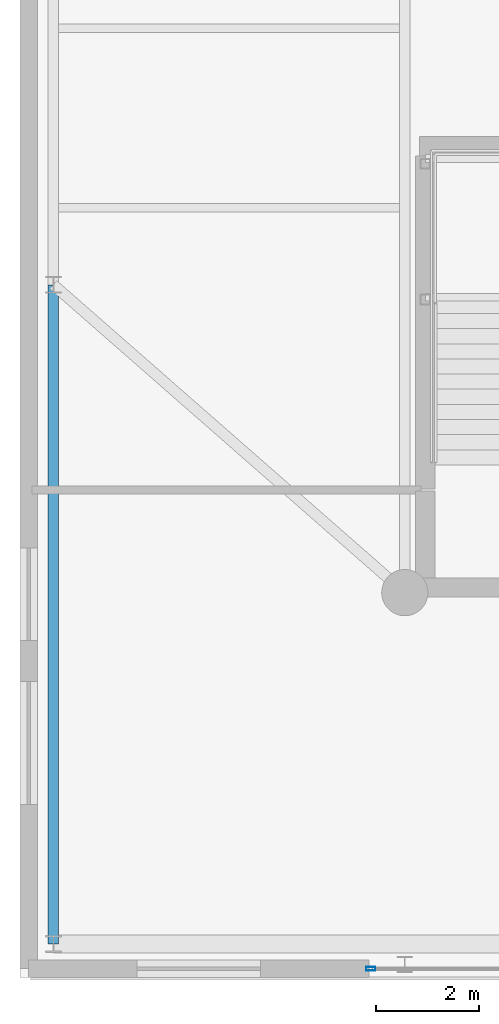
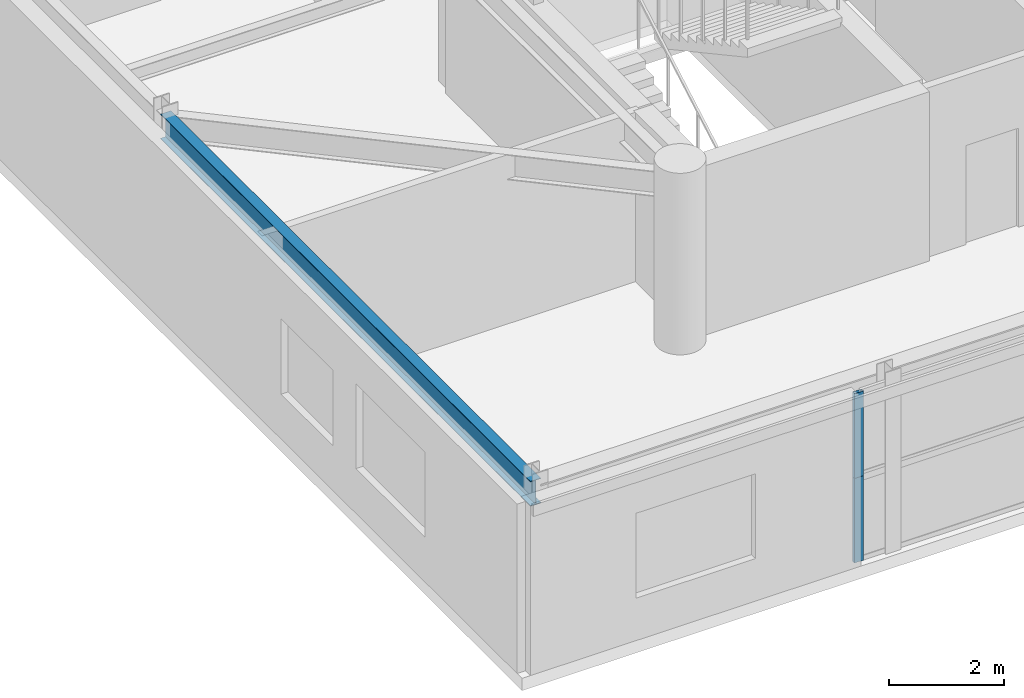
# One storey, part 6 of 26: 2 members, 1 beam, 2 elements without a shape of their own.
"""IFC4 building model written with IfcOpenShell, lengths in metres."""

from ifc_helpers import new_model, si_unit, direction, frame, origin, origin_2d, place, context, subcontext, project, spatial, hollow_rectangle, i_section, extrude, source, transform, mapped, material, layer, layer_set, material_profile, profile_set, type_object, element, aggregate, save


model = new_model("IFC4")

# Units and contexts
model_context = context("Model", 3, precision=1e-05, world=origin(), true_north=direction((0.0, 1.0)))
body_context = subcontext(model_context, "Body", "Model", "MODEL_VIEW")
ifc_project = project(units=[si_unit("LENGTHUNIT", "METRE"), si_unit("AREAUNIT", "SQUARE_METRE"), si_unit("VOLUMEUNIT", "CUBIC_METRE"), si_unit("PLANEANGLEUNIT", "RADIAN"), si_unit("MASSUNIT", "GRAM", prefix="KILO")], contexts=[model_context])

# Site, building, storey
site_placement = place(None, origin())
site = spatial("IfcSite", under=ifc_project, at=site_placement, CompositionType="ELEMENT")
building_placement = place(site_placement, origin())
building = spatial("IfcBuilding", under=site, at=building_placement, Name="Taldren Reach Tower", CompositionType="ELEMENT")
storey_placement = place(building_placement, frame((0.0, 0.0, 4.550048828125)))
storey = spatial("IfcBuildingStorey", under=building, at=storey_placement, Name="L01", CompositionType="ELEMENT", Elevation=4.550048828125)

# Beam
ifc_material_1 = material(Name="Steel Gr 350 (350PLUS)", Category="steel")
ifc_material_profile_1 = material_profile(ifc_material_1, i_section(OverallWidth=0.208984375, OverallDepth=0.528076171875, WebThickness=0.009521484375, FlangeThickness=0.01318359375, at=origin_2d()), Name="530UB82.0")
ifc_profile_set_1 = profile_set([ifc_material_profile_1], Name="Steel Gr 350 (350PLUS)")
beam_type = type_object("IfcBeamType", Name="SP-UB530B", PredefinedType="SPANDREL", material=ifc_profile_set_1)
shared_shape_1 = source(origin(), body_context, "Body", "SweptSolid", [
    extrude(i_section(OverallWidth=0.208984375, OverallDepth=0.528076171875, WebThickness=0.009521484375, FlangeThickness=0.01318359375, at=origin_2d()), origin(), (0.0, 0.0, 1.0), 12.85009765625),
])
beam_placement = place(storey_placement, frame((0.64990234375, 0.64990234375, 3.325927734375), z_axis=(0.0, 1.0, 0.0), x_axis=(-1.0, 0.0, 0.0)))
element("IfcBeam", 1, at=beam_placement, inside=storey, type_object=beam_type, Name="Podium beam L01-PD12", PredefinedType="SPANDREL", context=body_context, shape_type="MappedRepresentation", body=[
    mapped(shared_shape_1, transform((0.0, 0.0, 0.0), scale=1.0)),
])

# Curtain wall, member
ifc_material_2 = material(Name="Aluminium and Low-E Glass Unitised System", Category="aluminium")
ifc_layer = layer(ifc_material_2, 0.159912109375)
ifc_layer_set = layer_set([ifc_layer], Name="Aluminium and Low-E Glass Unitised System")
curtain_wall_type = type_object("IfcCurtainWallType", Name="CW-SYS-1", PredefinedType="NOTDEFINED", material=ifc_layer_set)
curtain_wall_1_placement = place(storey_placement, origin())
curtain_wall_1 = element("IfcCurtainWall", 2, at=curtain_wall_1_placement, inside=storey, type_object=curtain_wall_type, Name="Unitised curtain wall CW1-L01-S1", PredefinedType="NOTDEFINED")
ifc_material_3 = material(Name="Anodised Aluminium 6063-T6", Category="aluminium")
ifc_material_profile_2 = material_profile(ifc_material_3, hollow_rectangle(XDim=0.070068359375, YDim=0.179931640625, WallThickness=0.00390625, at=origin_2d()), Name="ALU-180x70x4RHS")
ifc_profile_set_2 = profile_set([ifc_material_profile_2], Name="Anodised Aluminium 6063-T6")
member_type = type_object("IfcMemberType", Name="CW-MUL-180", PredefinedType="MULLION", material=ifc_profile_set_2)
shared_shape_2 = source(origin(), body_context, "Body", "SweptSolid", [
    extrude(hollow_rectangle(XDim=0.070068359375, YDim=0.179931640625, WallThickness=0.00390625, at=origin_2d()), origin(), (0.0, 0.0, 1.0), 1.794921875),
])
member_1_placement = place(storey_placement, frame((6.8349609375, 0.169921875, 0.0), z_axis=(0.0, 0.0, 1.0), x_axis=(0.0, 1.0, 0.0)))
member_1 = element("IfcMember", 3, at=member_1_placement, type_object=member_type, Name="CW-1 mullion 1", PredefinedType="MULLION", context=body_context, shape_type="MappedRepresentation", body=[
    mapped(shared_shape_2, transform((0.0, 0.0, 0.0), scale=1.0)),
])
aggregate(curtain_wall_1, [member_1])

curtain_wall_2_placement = place(storey_placement, origin())
curtain_wall_2 = element("IfcCurtainWall", 4, at=curtain_wall_2_placement, inside=storey, type_object=curtain_wall_type, Name="Unitised curtain wall CW1-L01-S1-T2", PredefinedType="NOTDEFINED")
member_2_placement = place(storey_placement, frame((6.8349609375, 0.169921875, 1.794921875), z_axis=(0.0, 0.0, 1.0), x_axis=(0.0, 1.0, 0.0)))
member_2 = element("IfcMember", 5, at=member_2_placement, type_object=member_type, Name="CW-1 mullion 1", PredefinedType="MULLION", context=body_context, shape_type="MappedRepresentation", body=[
    mapped(shared_shape_2, transform((0.0, 0.0, 0.0), scale=1.0)),
])
aggregate(curtain_wall_2, [member_2])

save(model, "model.ifc")
